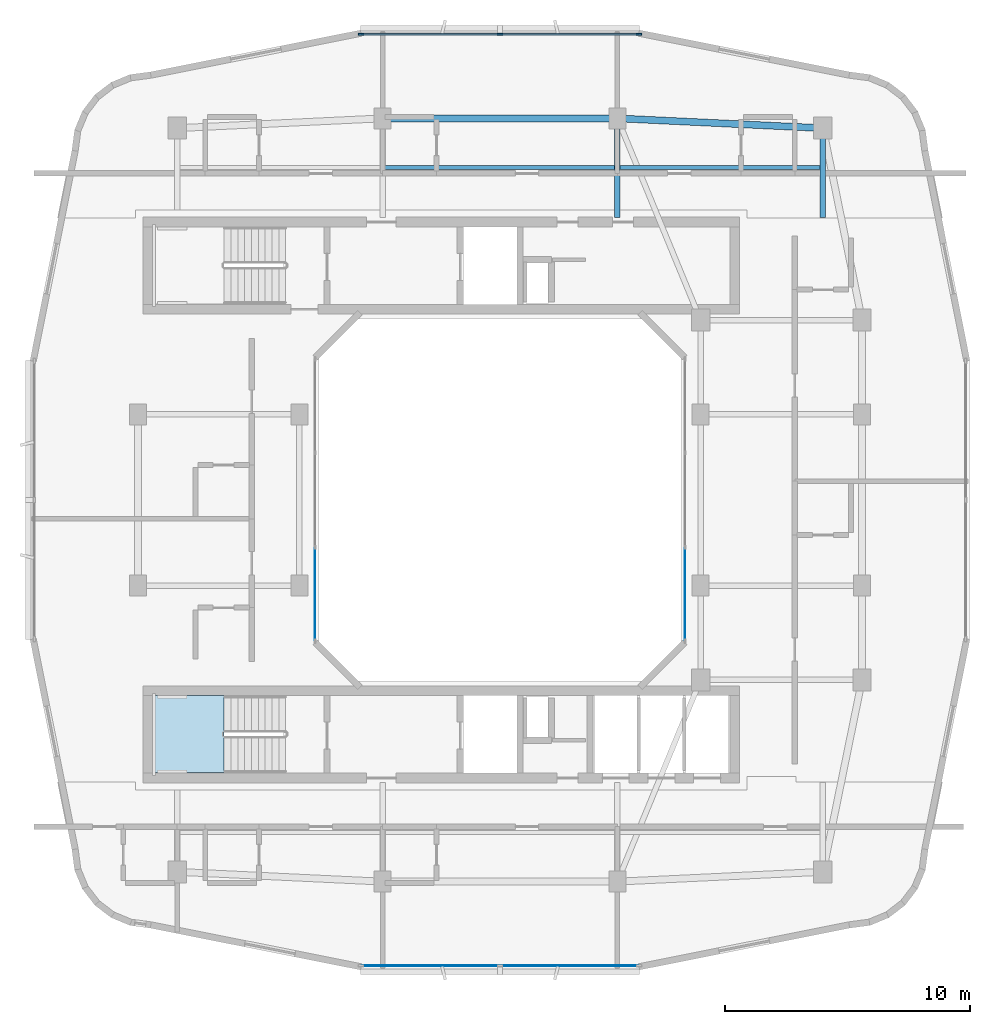
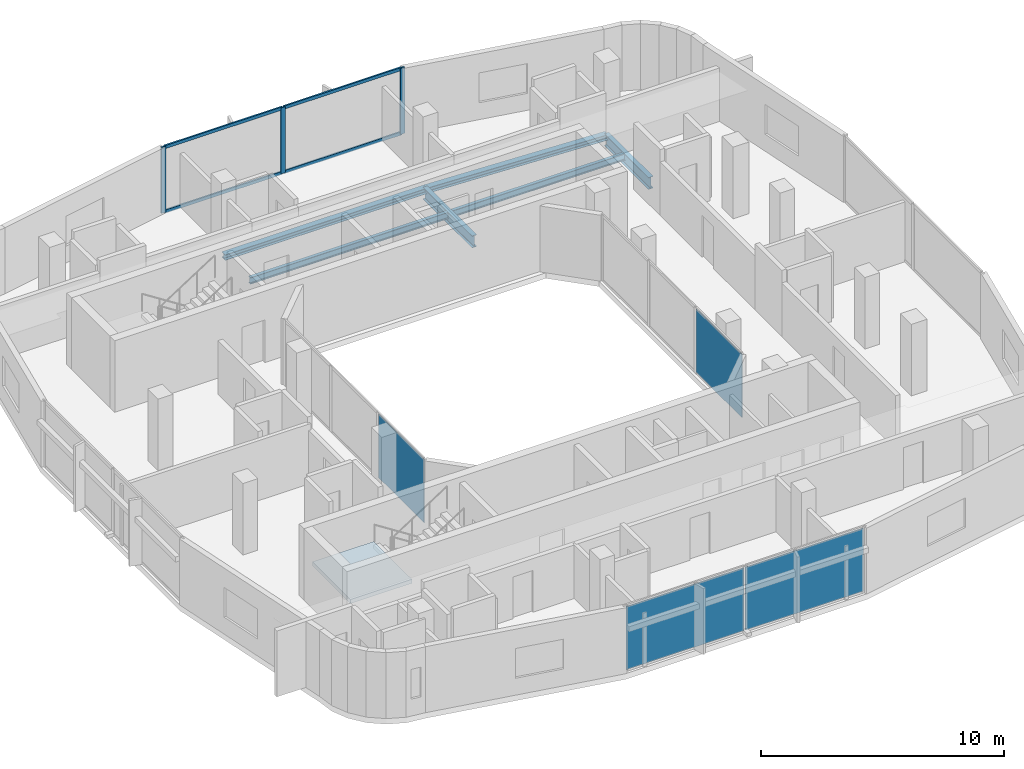
# One storey, part 5 of 14: 7 members, 6 beams, 4 plates, 1 slab, 5 elements without a shape of their own.
"""IFC4 building model written with IfcOpenShell, lengths in metres."""

from ifc_helpers import new_model, si_unit, derived_unit, direction, frame, origin, origin_2d, place, context, subcontext, project, spatial, polyline, rectangle, i_section, outline, extrude, material, layer, layer_set, material_profile, profile_set, type_object, element, aggregate, save


model = new_model("IFC4")

# Units and contexts
model_context = context("Model", 3, precision=1e-05, world=origin(), true_north=direction((0.0, 1.0)))
body_context = subcontext(model_context, "Body", "Model", "MODEL_VIEW")
ifc_project = project(units=[si_unit("LENGTHUNIT", "METRE"), si_unit("AREAUNIT", "SQUARE_METRE"), si_unit("VOLUMEUNIT", "CUBIC_METRE"), si_unit("PLANEANGLEUNIT", "RADIAN"), si_unit("MASSUNIT", "GRAM", prefix="KILO"), derived_unit("THERMALTRANSMITTANCEUNIT", [(si_unit("POWERUNIT", "WATT"), 1), (si_unit("LENGTHUNIT", "METRE"), -2), (si_unit("THERMODYNAMICTEMPERATUREUNIT", "KELVIN"), -1)])], contexts=[model_context])

# Site, building, storey
site_placement = place(None, origin())
site = spatial("IfcSite", under=ifc_project, at=site_placement, CompositionType="ELEMENT")
building_placement = place(site_placement, origin())
building = spatial("IfcBuilding", under=site, at=building_placement, Name="Kivonza Crest Hotel", CompositionType="ELEMENT")
storey_placement = place(building_placement, frame((0.0, 0.0, 217.10009765625)))
storey = spatial("IfcBuildingStorey", under=building, at=storey_placement, Name="L59", CompositionType="ELEMENT", Elevation=217.10009765625)

# Beams
ifc_material_1 = material(Name="Steel S355", Category="steel")
ifc_material_profile_1 = material_profile(ifc_material_1, i_section(OverallWidth=0.280029296875, OverallDepth=0.280029296875, WebThickness=0.010498046875, FlangeThickness=0.01806640625, FilletRadius=0.02392578125, at=origin_2d()), Name="HEB 280")
ifc_profile_set_1 = profile_set([ifc_material_profile_1], Name="Steel S355")
beam_type_1 = type_object("IfcBeamType", Name="BM-HEB280", PredefinedType="SPANDREL", material=ifc_profile_set_1)
beam_1_placement = place(storey_placement, frame((34.199951171875, 40.199951171875, -0.420166015625), z_axis=(-0.998867283688, 0.047583080799, 0.0), x_axis=(-0.047583080799, -0.998867283688, 0.0)))
element("IfcBeam", 1, at=beam_1_placement, inside=storey, type_object=beam_type_1, Name="Tower T1 L59 perimeter spandrel NE-N2", PredefinedType="SPANDREL", context=body_context, shape_type="SweptSolid", body=[
    extrude(i_section(OverallWidth=0.280029296875, OverallDepth=0.280029296875, WebThickness=0.010498046875, FlangeThickness=0.01806640625, FilletRadius=0.02392578125, at=origin_2d()), origin(), (0.0, 0.0, 1.0), 8.409423828125),
])
beam_2_placement = place(storey_placement, frame((25.800048828125, 40.60009765625, -0.420166015625), z_axis=(-1.0, 0.0, 0.0), x_axis=(0.0, -1.0, 0.0)))
element("IfcBeam", 2, at=beam_2_placement, inside=storey, type_object=beam_type_1, Name="Tower T1 L59 perimeter spandrel N2-N1", PredefinedType="SPANDREL", context=body_context, shape_type="SweptSolid", body=[
    extrude(i_section(OverallWidth=0.280029296875, OverallDepth=0.280029296875, WebThickness=0.010498046875, FlangeThickness=0.01806640625, FilletRadius=0.02392578125, at=origin_2d()), origin(), (0.0, 0.0, 1.0), 9.60009765625),
])
ifc_material_profile_2 = material_profile(ifc_material_1, i_section(OverallWidth=0.159912109375, OverallDepth=0.330078125, WebThickness=0.007568359375, FlangeThickness=0.011474609375, FilletRadius=0.01806640625, at=origin_2d()), Name="IPE 330")
ifc_profile_set_2 = profile_set([ifc_material_profile_2], Name="Steel S355")
beam_type_2 = type_object("IfcBeamType", Name="BM-IPE330", PredefinedType="JOIST", material=ifc_profile_set_2)
beam_3_placement = place(storey_placement, frame((16.280029296875, 38.60009765625, -0.445068359375), z_axis=(1.0, 0.0, 0.0), x_axis=(0.0, 1.0, 0.0)))
element("IfcBeam", 3, at=beam_3_placement, inside=storey, type_object=beam_type_2, Name="Tower T1 L59 North-Mid floor joist", PredefinedType="JOIST", context=body_context, shape_type="SweptSolid", body=[
    extrude(i_section(OverallWidth=0.159912109375, OverallDepth=0.330078125, WebThickness=0.007568359375, FlangeThickness=0.011474609375, FilletRadius=0.01806640625, at=origin_2d()), origin(), (0.0, 0.0, 1.0), 9.43994140625),
])
beam_4_placement = place(storey_placement, frame((25.8798828125, 38.60009765625, -0.445068359375), z_axis=(1.0, 0.0, 0.0), x_axis=(0.0, 1.0, 0.0)))
element("IfcBeam", 4, at=beam_4_placement, inside=storey, type_object=beam_type_2, Name="Tower T1 L59 North-East floor joist", PredefinedType="JOIST", context=body_context, shape_type="SweptSolid", body=[
    extrude(i_section(OverallWidth=0.159912109375, OverallDepth=0.330078125, WebThickness=0.007568359375, FlangeThickness=0.011474609375, FilletRadius=0.01806640625, at=origin_2d()), origin(), (0.0, 0.0, 1.0), 8.240234375),
])
ifc_material_profile_3 = material_profile(ifc_material_1, i_section(OverallWidth=0.219970703125, OverallDepth=0.60009765625, WebThickness=0.011962890625, FlangeThickness=0.01904296875, FilletRadius=0.02392578125, at=origin_2d()), Name="IPE 600")
ifc_profile_set_3 = profile_set([ifc_material_profile_3], Name="Steel S355")
beam_type_3 = type_object("IfcBeamType", Name="BM-IPE600", PredefinedType="BEAM", material=ifc_profile_set_3)
beam_5_placement = place(storey_placement, frame((25.800048828125, 40.60009765625, -0.580078125), z_axis=(0.0, -1.0, 0.0), x_axis=(1.0, 0.0, 0.0)))
element("IfcBeam", 5, at=beam_5_placement, inside=storey, type_object=beam_type_3, Name="Tower T1 L59 radial core girder RN2", PredefinedType="BEAM", context=body_context, shape_type="SweptSolid", body=[
    extrude(i_section(OverallWidth=0.219970703125, OverallDepth=0.60009765625, WebThickness=0.011962890625, FlangeThickness=0.01904296875, FilletRadius=0.02392578125, at=origin_2d()), origin(), (0.0, 0.0, 1.0), 4.050048828125),
])
beam_6_placement = place(storey_placement, frame((34.199951171875, 40.199951171875, -0.580078125), z_axis=(0.0, -1.0, 0.0), x_axis=(1.0, 0.0, 0.0)))
element("IfcBeam", 6, at=beam_6_placement, inside=storey, type_object=beam_type_3, Name="Tower T1 L59 radial core girder RNE", PredefinedType="BEAM", context=body_context, shape_type="SweptSolid", body=[
    extrude(i_section(OverallWidth=0.219970703125, OverallDepth=0.60009765625, WebThickness=0.011962890625, FlangeThickness=0.01904296875, FilletRadius=0.02392578125, at=origin_2d()), origin(), (0.0, 0.0, 1.0), 3.64990234375),
])

# Curtain wall, members
ifc_material_2 = material(Name="Anodised bronze aluminium and low-E double glazing", Category="aluminium")
ifc_layer_1 = layer(ifc_material_2, 0.179931640625)
ifc_layer_set_1 = layer_set([ifc_layer_1], Name="Anodised bronze aluminium and low-E double glazing")
curtain_wall_type_1 = type_object("IfcCurtainWallType", Name="CW-SYS-3", PredefinedType="NOTDEFINED", material=ifc_layer_set_1)
curtain_wall_1_placement = place(storey_placement, origin())
curtain_wall_1 = element("IfcCurtainWall", 7, at=curtain_wall_1_placement, inside=storey, type_object=curtain_wall_type_1, Name="L59 unitised curtain wall CW-T1-L59-26", PredefinedType="NOTDEFINED")
ifc_material_3 = material(Name="Anodised bronze aluminium", Category="aluminium")
ifc_material_profile_4 = material_profile(ifc_material_3, rectangle(XDim=0.074951171875, YDim=0.219970703125, at=origin_2d()), Name="CW-M 75x220")
ifc_profile_set_4 = profile_set([ifc_material_profile_4], Name="Anodised bronze aluminium")
member_type_1 = type_object("IfcMemberType", Name="CW-MUL-75x220", PredefinedType="MULLION", material=ifc_profile_set_4)
member_1_placement = place(storey_placement, frame((26.6826171875, 44.0400390625, 0.0), z_axis=(0.0, 0.0, 1.0), x_axis=(0.0, -1.0, 0.0)))
member_1 = element("IfcMember", 8, at=member_1_placement, type_object=member_type_1, Name="CW-3 mullion 1", PredefinedType="MULLION", context=body_context, shape_type="SweptSolid", body=[
    extrude(rectangle(XDim=0.074951171875, YDim=0.219970703125, at=origin_2d()), origin(), (0.0, 0.0, 1.0), 3.31982421875),
])
member_2_placement = place(storey_placement, frame((21.0, 44.0400390625, 0.0), z_axis=(0.0, 0.0, 1.0), x_axis=(0.0, -1.0, 0.0)))
member_2 = element("IfcMember", 9, at=member_2_placement, type_object=member_type_1, Name="CW-3 mullion 2", PredefinedType="MULLION", context=body_context, shape_type="SweptSolid", body=[
    extrude(rectangle(XDim=0.074951171875, YDim=0.219970703125, at=origin_2d()), origin(), (0.0, 0.0, 1.0), 3.31982421875),
])
member_3_placement = place(storey_placement, frame((15.3173828125, 44.0400390625, 0.0), z_axis=(0.0, 0.0, 1.0), x_axis=(0.0, -1.0, 0.0)))
member_3 = element("IfcMember", 10, at=member_3_placement, type_object=member_type_1, Name="CW-3 mullion 3", PredefinedType="MULLION", context=body_context, shape_type="SweptSolid", body=[
    extrude(rectangle(XDim=0.074951171875, YDim=0.219970703125, at=origin_2d()), origin(), (0.0, 0.0, 1.0), 3.31982421875),
])
ifc_material_profile_5 = material_profile(ifc_material_3, rectangle(XDim=0.074951171875, YDim=0.159912109375, at=origin_2d()), Name="CW-T 75x160")
ifc_profile_set_5 = profile_set([ifc_material_profile_5], Name="Anodised bronze aluminium")
member_type_2 = type_object("IfcMemberType", Name="CW-TRN-75x160", PredefinedType="USERDEFINED", material=ifc_profile_set_5)
member_4_placement = place(storey_placement, frame((26.64501953125, 44.0400390625, 0.037353515625), z_axis=(-1.0, 0.0, 0.0), x_axis=(0.0, -1.0, 0.0)))
member_4 = element("IfcMember", 11, at=member_4_placement, type_object=member_type_2, Name="CW-3 transom 1.1", ObjectType="TRANSOM", PredefinedType="USERDEFINED", context=body_context, shape_type="SweptSolid", body=[
    extrude(rectangle(XDim=0.074951171875, YDim=0.159912109375, at=origin_2d()), origin(), (0.0, 0.0, 1.0), 5.607421875),
])
member_5_placement = place(storey_placement, frame((26.64501953125, 44.0400390625, 3.282470703125), z_axis=(-1.0, 0.0, 0.0), x_axis=(0.0, -1.0, 0.0)))
member_5 = element("IfcMember", 12, at=member_5_placement, type_object=member_type_2, Name="CW-3 transom 1.2", ObjectType="TRANSOM", PredefinedType="USERDEFINED", context=body_context, shape_type="SweptSolid", body=[
    extrude(rectangle(XDim=0.074951171875, YDim=0.159912109375, at=origin_2d()), origin(), (0.0, 0.0, 1.0), 5.607421875),
])
member_6_placement = place(storey_placement, frame((20.96240234375, 44.0400390625, 0.037353515625), z_axis=(-1.0, 0.0, 0.0), x_axis=(0.0, -1.0, 0.0)))
member_6 = element("IfcMember", 13, at=member_6_placement, type_object=member_type_2, Name="CW-3 transom 2.1", ObjectType="TRANSOM", PredefinedType="USERDEFINED", context=body_context, shape_type="SweptSolid", body=[
    extrude(rectangle(XDim=0.074951171875, YDim=0.159912109375, at=origin_2d()), origin(), (0.0, 0.0, 1.0), 5.607421875),
])
member_7_placement = place(storey_placement, frame((20.96240234375, 44.0400390625, 3.282470703125), z_axis=(-1.0, 0.0, 0.0), x_axis=(0.0, -1.0, 0.0)))
member_7 = element("IfcMember", 14, at=member_7_placement, type_object=member_type_2, Name="CW-3 transom 2.2", ObjectType="TRANSOM", PredefinedType="USERDEFINED", context=body_context, shape_type="SweptSolid", body=[
    extrude(rectangle(XDim=0.074951171875, YDim=0.159912109375, at=origin_2d()), origin(), (0.0, 0.0, 1.0), 5.607421875),
])
aggregate(curtain_wall_1, [member_1, member_2, member_3, member_4, member_5, member_6, member_7])

# Curtain wall, plate
ifc_layer_2 = layer(ifc_material_2, 0.159912109375)
ifc_layer_set_2 = layer_set([ifc_layer_2], Name="Anodised bronze aluminium and low-E double glazing")
curtain_wall_type_2 = type_object("IfcCurtainWallType", Name="CW-SYS-5", PredefinedType="NOTDEFINED", material=ifc_layer_set_2)
curtain_wall_2_placement = place(storey_placement, origin())
curtain_wall_2 = element("IfcCurtainWall", 15, at=curtain_wall_2_placement, inside=storey, type_object=curtain_wall_type_2, Name="L59 unitised curtain wall CW-WELL-T1-L59-3", PredefinedType="NOTDEFINED")
ifc_material_4 = material(Name="Solar-control low-E double glazing", Category="glass")
ifc_layer_3 = layer(ifc_material_4, 0.028076171875)
ifc_layer_set_3 = layer_set([ifc_layer_3], Name="Solar-control low-E double glazing")
plate_type_1 = type_object("IfcPlateType", Name="CW-PNL-28", PredefinedType="CURTAIN_PANEL", material=ifc_layer_set_3)
plate_1_placement = place(storey_placement, frame((28.56005859375, 21.149658203125, 0.06494140625), z_axis=(0.0, 0.0, 1.0), x_axis=(0.0, 1.0, 0.0)))
plate_1 = element("IfcPlate", 16, at=plate_1_placement, type_object=plate_type_1, Name="CW-5 panel 1.1", PredefinedType="CURTAIN_PANEL", context=body_context, shape_type="SweptSolid", body=[
    extrude(rectangle(XDim=3.769287109375, YDim=0.028076171875, at=origin_2d()), origin(), (0.0, 0.0, 1.0), 3.18994140625),
])
aggregate(curtain_wall_2, [plate_1])

curtain_wall_3_placement = place(storey_placement, origin())
curtain_wall_3 = element("IfcCurtainWall", 17, at=curtain_wall_3_placement, inside=storey, type_object=curtain_wall_type_2, Name="L59 unitised curtain wall CW-WELL-T1-L59-7", PredefinedType="NOTDEFINED")
plate_2_placement = place(storey_placement, frame((13.43994140625, 21.149658203125, 0.06494140625), z_axis=(0.0, 0.0, 1.0), x_axis=(0.0, -1.0, 0.0)))
plate_2 = element("IfcPlate", 18, at=plate_2_placement, type_object=plate_type_1, Name="CW-5 panel 3.1", PredefinedType="CURTAIN_PANEL", context=body_context, shape_type="SweptSolid", body=[
    extrude(rectangle(XDim=3.769287109375, YDim=0.028076171875, at=origin_2d()), origin(), (0.0, 0.0, 1.0), 3.18994140625),
])
aggregate(curtain_wall_3, [plate_2])

# Curtain wall, plates
curtain_wall_4_placement = place(storey_placement, origin())
curtain_wall_4 = element("IfcCurtainWall", 19, at=curtain_wall_4_placement, inside=storey, type_object=curtain_wall_type_1, Name="L59 unitised curtain wall CW-T1-L59-08", PredefinedType="NOTDEFINED")
ifc_material_5 = material(Name="Acoustic triple-laminated low-E glazing", Category="glass")
ifc_layer_4 = layer(ifc_material_5, 0.035888671875)
ifc_layer_set_4 = layer_set([ifc_layer_4], Name="Acoustic triple-laminated low-E glazing")
plate_type_2 = type_object("IfcPlateType", Name="CW-PNL-36", PredefinedType="CURTAIN_PANEL", material=ifc_layer_set_4)
plate_3_placement = place(storey_placement, frame((18.15869140625, 5.9599609375, 0.074951171875), z_axis=(0.0, 0.0, 1.0), x_axis=(1.0, 0.0, 0.0)))
plate_3 = element("IfcPlate", 20, at=plate_3_placement, type_object=plate_type_2, Name="CW-3 panel 1.1", PredefinedType="CURTAIN_PANEL", context=body_context, shape_type="SweptSolid", body=[
    extrude(rectangle(XDim=5.607421875, YDim=0.035888671875, at=origin_2d()), origin(), (0.0, 0.0, 1.0), 3.169921875),
])
plate_4_placement = place(storey_placement, frame((23.84130859375, 5.9599609375, 0.074951171875), z_axis=(0.0, 0.0, 1.0), x_axis=(1.0, 0.0, 0.0)))
plate_4 = element("IfcPlate", 21, at=plate_4_placement, type_object=plate_type_2, Name="CW-3 panel 2.1", PredefinedType="CURTAIN_PANEL", context=body_context, shape_type="SweptSolid", body=[
    extrude(rectangle(XDim=5.607421875, YDim=0.035888671875, at=origin_2d()), origin(), (0.0, 0.0, 1.0), 3.169921875),
])
aggregate(curtain_wall_4, [plate_3, plate_4])

# Stair, slab
ifc_material_6 = material(Name="Concrete C40/50", Category="concrete")
stair_type = type_object("IfcStairType", Name="ST-DL-20R", PredefinedType="HALF_TURN_STAIR", material=ifc_material_6)
stair_placement = place(storey_placement, origin())
stair = element("IfcStair", 22, at=stair_placement, inside=storey, type_object=stair_type, Name="L59 Protected Exit Stair ST-T1-S", PredefinedType="HALF_TURN_STAIR")
ifc_layer_5 = layer(ifc_material_6, 0.199951171875)
ifc_layer_set_5 = layer_set([ifc_layer_5], Name="Concrete C40/50")
slab_type = type_object("IfcSlabType", Name="SL-LAND-200", PredefinedType="LANDING", material=ifc_layer_set_5)
slab_placement = place(storey_placement, frame((0.0, 0.0, 1.599853515625)))
slab = element("IfcSlab", 23, at=slab_placement, type_object=slab_type, Name="ST-T1-S landing 1", PredefinedType="LANDING", context=body_context, shape_type="SweptSolid", body=[
    extrude(outline(polyline([(9.719970703125, 17.0), (6.800048828125, 17.0), (6.800048828125, 13.860107421875), (9.719970703125, 13.860107421875), (9.719970703125, 17.0)])), origin(), (0.0, 0.0, 1.0), 0.199951171875),
])
aggregate(stair, [slab])

save(model, "model.ifc")
